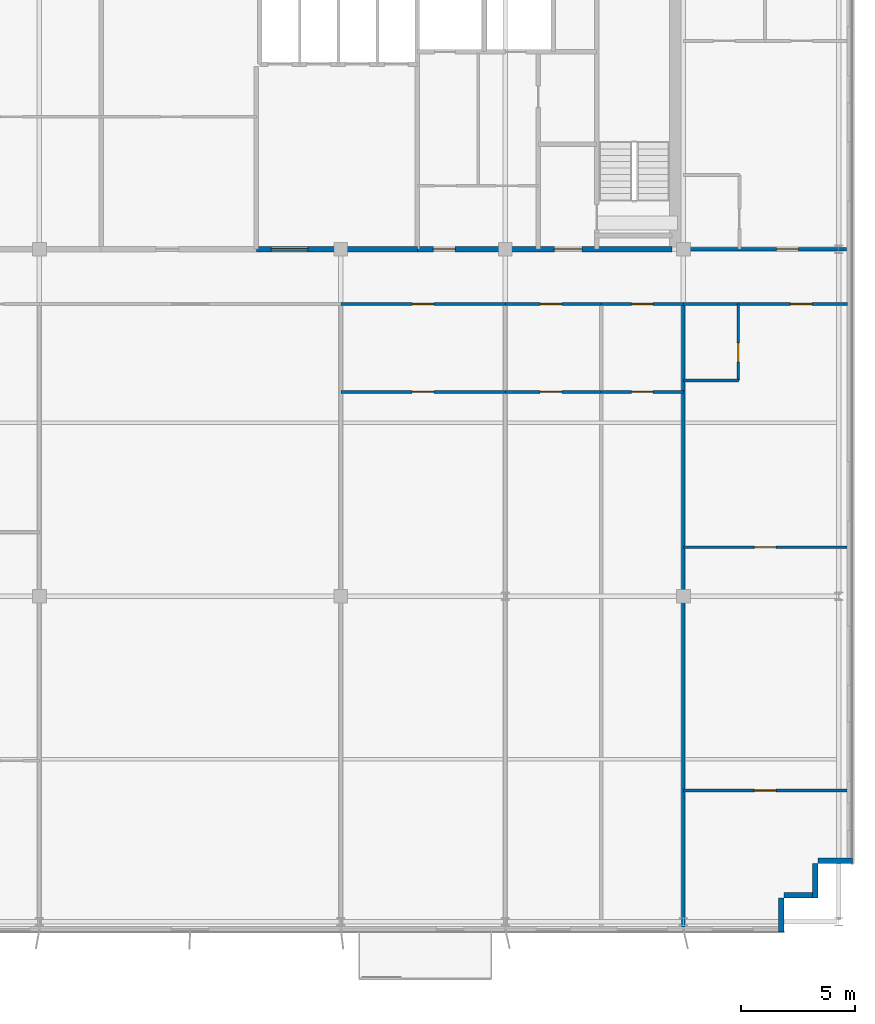
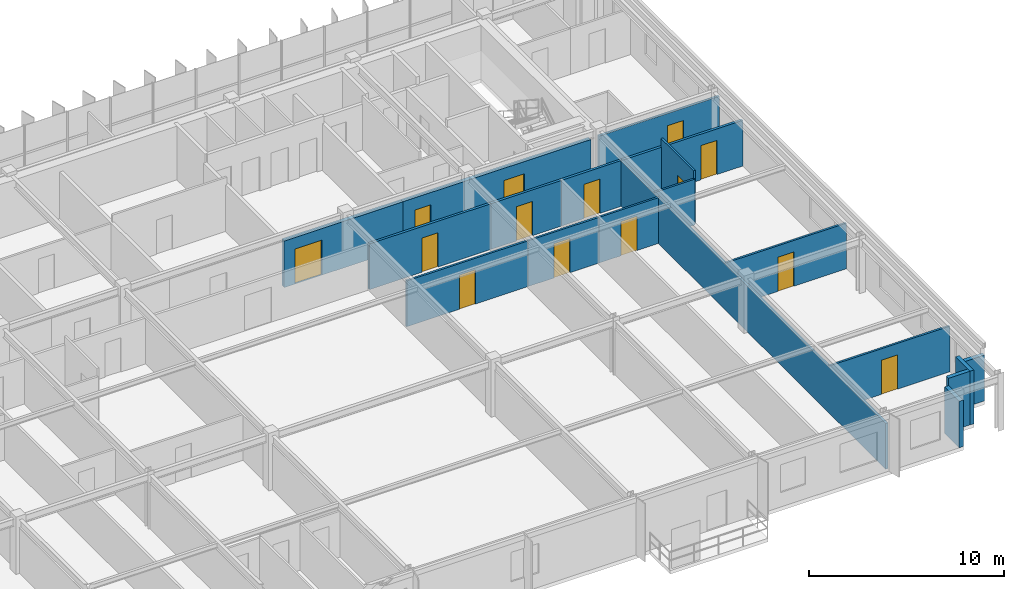
# One storey, part 18 of 22: 19 walls, 14 doors, 14 openings.
"""IFC4 building model written with IfcOpenShell, lengths in metres."""

from ifc_helpers import new_model, si_unit, direction, frame, frame_2d, origin, place, context, subcontext, project, spatial, rectangle, extrude, source, transform, mapped, material, layer, layer_set, type_object, element, fill, save


model = new_model("IFC4")

# Units and contexts
model_context = context("Model", 3, precision=1e-05, world=origin(), true_north=direction((0.0, 1.0)))
body_context = subcontext(model_context, "Body", "Model", "MODEL_VIEW")
ifc_project = project(units=[si_unit("LENGTHUNIT", "METRE"), si_unit("AREAUNIT", "SQUARE_METRE"), si_unit("VOLUMEUNIT", "CUBIC_METRE"), si_unit("PLANEANGLEUNIT", "RADIAN"), si_unit("MASSUNIT", "GRAM", prefix="KILO")], contexts=[model_context])

# Site, building, storey
site_placement = place(None, origin())
site = spatial("IfcSite", under=ifc_project, at=site_placement, CompositionType="ELEMENT")
building_placement = place(site_placement, origin())
building = spatial("IfcBuilding", under=site, at=building_placement, Name="Trelvane Seafront Commons", CompositionType="ELEMENT")
storey_placement = place(building_placement, frame((0.0, 0.0, 270.300048828125)))
storey = spatial("IfcBuildingStorey", under=building, at=storey_placement, Name="L70", CompositionType="ELEMENT", Elevation=270.300048828125)

# Walls
ifc_material_1 = material(Name="Precast concrete C40/50", Category="concrete")
ifc_layer_1 = layer(ifc_material_1, 0.239990234375, Name="ARCH-WALL-EXT240")
ifc_layer_set_1 = layer_set([ifc_layer_1], Name="Precast concrete C40/50")
wall_type_1 = type_object("IfcWallType", Name="ARCH-WALL-EXT240", PredefinedType="SOLIDWALL", material=ifc_layer_set_1)
wall_1_placement = place(storey_placement, frame((66.199951171875, 6.6201171875, 0.0), z_axis=(0.0, 0.0, 1.0), x_axis=(-1.0, 0.0, 0.0)))
element("IfcWall", 1, at=wall_1_placement, inside=storey, type_object=wall_type_1, Name="EW-L70-01418", PredefinedType="SOLIDWALL", context=body_context, shape_type="SweptSolid", body=[
    extrude(rectangle(XDim=1.5, YDim=0.239990234375, at=frame_2d((0.75, 0.0))), origin(), (0.0, 0.0, 1.0), 2.869873046875),
])
for number, where, z_axis, x_axis, name in (
    (2, (64.580078125, 6.5, 0.0), (0.0, 0.0, 1.0), (0.0, -1.0, 0.0), "EW-L70-01419"),
    (3, (64.699951171875, 5.1201171875, 0.0), (0.0, 0.0, 1.0), (-1.0, 0.0, 0.0), "EW-L70-01420"),
):
    element("IfcWall", number, at=place(storey_placement, frame(where, z_axis=z_axis, x_axis=x_axis)), inside=storey, type_object=wall_type_1, Name=name, PredefinedType="SOLIDWALL", context=body_context, shape_type="SweptSolid", body=[
        extrude(rectangle(XDim=1.5, YDim=0.239990234375, at=frame_2d((0.75, 0.0))), origin(), (0.0, 0.0, 1.0), 3.369873046875),
    ])
wall_2_placement = place(storey_placement, frame((63.080078125, 5.0, 0.0), z_axis=(0.0, 0.0, 1.0), x_axis=(0.0, -1.0, 0.0)))
element("IfcWall", 4, at=wall_2_placement, inside=storey, type_object=wall_type_1, Name="EW-L70-01421", PredefinedType="SOLIDWALL", context=body_context, shape_type="SweptSolid", body=[
    extrude(rectangle(XDim=1.5, YDim=0.239990234375, at=frame_2d((0.75, 0.0))), origin(), (0.0, 0.0, 1.0), 2.919921875),
])

# Wall, opening, door
ifc_material_2 = material(Name="Concrete C40/50", Category="concrete")
ifc_layer_2 = layer(ifc_material_2, 0.25, Name="ARCH-WALL-FIRE250")
ifc_layer_set_2 = layer_set([ifc_layer_2], Name="Concrete C40/50")
wall_type_2 = type_object("IfcWallType", Name="ARCH-WALL-FIRE250", PredefinedType="PARTITIONING", material=ifc_layer_set_2)
wall_3_placement = place(storey_placement, frame((40.10009765625, 33.39990234375, 0.0), z_axis=(0.0, 0.0, 1.0), x_axis=(1.0, 0.0, 0.0)))
wall_3 = element("IfcWall", 5, at=wall_3_placement, inside=storey, type_object=wall_type_2, Name="W-L70-CS-PAX-026", PredefinedType="PARTITIONING", context=body_context, shape_type="SweptSolid", body=[
    extrude(rectangle(XDim=7.0498046875, YDim=0.25, at=frame_2d((3.52490234375, 0.0))), origin(), (0.0, 0.0, 1.0), 2.919921875),
])
opening_1_placement = place(wall_3_placement, frame((0.64990234375, 0.0, 0.0)))
opening_1 = element("IfcOpeningElement", 6, at=opening_1_placement, cuts=wall_3, Name="Opening FD-L70-14", PredefinedType="OPENING", context=body_context, shape_type="SweptSolid", body=[
    extrude(rectangle(XDim=1.60009765625, YDim=2.199951171875, at=frame_2d((0.800048828125, 1.10009765625))), frame((0.0, 0.135009765625, 0.0), z_axis=(0.0, -1.0, 0.0), x_axis=(1.0, 0.0, 0.0)), (0.0, 0.0, 1.0), 0.27001953125),
])
ifc_material_3 = material(Name="Powder-coated aluminium frame", Category="aluminium")
door_type_1 = type_object("IfcDoorType", Name="ARCH-DR-FD60-1600", OperationType="DOUBLE_DOOR_SINGLE_SWING", PredefinedType="DOOR", material=ifc_material_3)
shared_shape_1 = source(origin(), body_context, "Body", "SweptSolid", [
    extrude(rectangle(XDim=1.60009765625, YDim=2.199951171875, at=frame_2d((0.800048828125, 1.10009765625))), frame((0.0, 0.02490234375, 0.0), z_axis=(0.0, -1.0, 0.0), x_axis=(1.0, 0.0, 0.0)), (0.0, 0.0, 1.0), 0.050048828125),
])
door_1_placement = place(opening_1_placement, origin())
door_1 = element("IfcDoor", 7, at=door_1_placement, inside=storey, type_object=door_type_1, Name="L70 High-Rise Lift Lobby Double Door", OperationType="DOUBLE_DOOR_SINGLE_SWING", OverallHeight=2.199951171875, OverallWidth=1.60009765625, PredefinedType="DOOR", context=body_context, shape_type="MappedRepresentation", body=[
    mapped(shared_shape_1, transform((0.0, 0.0, 0.0), x_axis=(1.0, 0.0, 0.0), y_axis=(0.0, 1.0, 0.0), z_axis=(0.0, 0.0, 1.0), scale=1.0)),
])
fill(opening_1, door_1)

# Wall, openings, doors
wall_4_placement = place(storey_placement, frame((47.14990234375, 33.39990234375, 0.0), z_axis=(0.0, 0.0, 1.0), x_axis=(1.0, 0.0, 0.0)))
wall_4 = element("IfcWall", 8, at=wall_4_placement, inside=storey, type_object=wall_type_2, Name="W-L70-CS-EAST-034", PredefinedType="PARTITIONING", context=body_context, shape_type="SweptSolid", body=[
    extrude(rectangle(XDim=11.150146484375, YDim=0.25, at=frame_2d((5.5751953125, 0.0))), origin(), (0.0, 0.0, 1.0), 2.919921875),
])
opening_2_placement = place(wall_4_placement, frame((0.699951171875, 0.0, 0.0)))
opening_2 = element("IfcOpeningElement", 9, at=opening_2_placement, cuts=wall_4, Name="Opening FD-L70-20", PredefinedType="OPENING", context=body_context, shape_type="SweptSolid", body=[
    extrude(rectangle(XDim=0.949951171875, YDim=2.14990234375, at=frame_2d((0.47509765625, 1.074951171875))), frame((0.0, 0.135009765625, 0.0), z_axis=(0.0, -1.0, 0.0), x_axis=(1.0, 0.0, 0.0)), (0.0, 0.0, 1.0), 0.27001953125),
])
opening_3_placement = place(wall_4_placement, frame((6.0, 0.0, 0.0)))
opening_3 = element("IfcOpeningElement", 10, at=opening_3_placement, cuts=wall_4, Name="Opening FD-L70-21", PredefinedType="OPENING", context=body_context, shape_type="SweptSolid", body=[
    extrude(rectangle(XDim=1.199951171875, YDim=2.14990234375, at=frame_2d((0.60009765625, 1.074951171875))), frame((0.0, 0.135009765625, 0.0), z_axis=(0.0, -1.0, 0.0), x_axis=(1.0, 0.0, 0.0)), (0.0, 0.0, 1.0), 0.27001953125),
])
door_type_2 = type_object("IfcDoorType", Name="ARCH-DR-FD60-950", OperationType="NOTDEFINED", PredefinedType="DOOR", material=ifc_material_3)
shared_shape_2 = source(origin(), body_context, "Body", "SweptSolid", [
    extrude(rectangle(XDim=0.949951171875, YDim=2.14990234375, at=frame_2d((0.47509765625, 1.074951171875))), frame((0.0, 0.02490234375, 0.0), z_axis=(0.0, -1.0, 0.0), x_axis=(1.0, 0.0, 0.0)), (0.0, 0.0, 1.0), 0.050048828125),
])
door_2_placement = place(opening_2_placement, origin())
door_2 = element("IfcDoor", 11, at=door_2_placement, inside=storey, type_object=door_type_2, Name="L70 Core Service Lobby Door", OperationType="SINGLE_SWING_RIGHT", OverallHeight=2.14990234375, OverallWidth=0.949951171875, PredefinedType="DOOR", context=body_context, shape_type="MappedRepresentation", body=[
    mapped(shared_shape_2, transform((0.0, 0.0, 0.0), x_axis=(1.0, 0.0, 0.0), y_axis=(0.0, 1.0, 0.0), z_axis=(0.0, 0.0, 1.0), scale=1.0)),
])
fill(opening_2, door_2)
door_type_3 = type_object("IfcDoorType", Name="ARCH-DR-FD60-1200", OperationType="NOTDEFINED", PredefinedType="DOOR", material=ifc_material_3)
shared_shape_3 = source(origin(), body_context, "Body", "SweptSolid", [
    extrude(rectangle(XDim=1.199951171875, YDim=2.14990234375, at=frame_2d((0.60009765625, 1.074951171875))), frame((0.0, 0.02490234375, 0.0), z_axis=(0.0, -1.0, 0.0), x_axis=(1.0, 0.0, 0.0)), (0.0, 0.0, 1.0), 0.050048828125),
])
door_3_placement = place(opening_3_placement, origin())
door_3 = element("IfcDoor", 12, at=door_3_placement, inside=storey, type_object=door_type_3, Name="L70 East Stair Vestibule Fire Door", OperationType="SINGLE_SWING_LEFT", OverallHeight=2.14990234375, OverallWidth=1.199951171875, PredefinedType="DOOR", context=body_context, shape_type="MappedRepresentation", body=[
    mapped(shared_shape_3, transform((0.0, 0.0, 0.0), x_axis=(1.0, 0.0, 0.0), y_axis=(0.0, 1.0, 0.0), z_axis=(0.0, 0.0, 1.0), scale=1.0)),
])
fill(opening_3, door_3)

# Wall, opening, door
ifc_material_4 = material(Name="Gypsum Drywall Acoustic Partition")
ifc_layer_3 = layer(ifc_material_4, 0.1201171875, Name="ARCH-WALL-PART120")
ifc_layer_set_3 = layer_set([ifc_layer_3], Name="Gypsum Drywall Acoustic Partition")
wall_type_3 = type_object("IfcWallType", Name="ARCH-WALL-PART120", PredefinedType="PARTITIONING", material=ifc_layer_set_3)
wall_5_placement = place(storey_placement, frame((43.800048828125, 27.14990234375, 0.0), z_axis=(0.0, 0.0, 1.0), x_axis=(1.0, 0.0, 0.0)))
wall_5 = element("IfcWall", 13, at=wall_5_placement, inside=storey, type_object=wall_type_3, Name="W-L70-U6-DIV-073", PredefinedType="PARTITIONING", context=body_context, shape_type="SweptSolid", body=[
    extrude(rectangle(XDim=7.199951171875, YDim=0.1201171875, at=frame_2d((3.60009765625, 0.0))), origin(), (0.0, 0.0, 1.0), 2.869873046875),
])
opening_4_placement = place(wall_5_placement, frame((3.125, 0.0, 0.0)))
opening_4 = element("IfcOpeningElement", 14, at=opening_4_placement, cuts=wall_5, Name="Opening D-L70-46", PredefinedType="OPENING", context=body_context, shape_type="SweptSolid", body=[
    extrude(rectangle(XDim=0.949951171875, YDim=2.14990234375, at=frame_2d((0.47509765625, 1.074951171875))), frame((0.0, 0.070068359375, 0.0), z_axis=(0.0, -1.0, 0.0), x_axis=(1.0, 0.0, 0.0)), (0.0, 0.0, 1.0), 0.14013671875),
])
ifc_material_5 = material(Name="Acoustic timber door leaf", Category="wood")
door_type_4 = type_object("IfcDoorType", Name="ARCH-DR-INT950", OperationType="NOTDEFINED", PredefinedType="DOOR", material=ifc_material_5)
door_4_placement = place(opening_4_placement, origin())
door_4 = element("IfcDoor", 15, at=door_4_placement, inside=storey, type_object=door_type_4, Name="L70 Door 46", OperationType="SINGLE_SWING_RIGHT", OverallHeight=2.14990234375, OverallWidth=0.949951171875, PredefinedType="DOOR", context=body_context, shape_type="MappedRepresentation", body=[
    mapped(shared_shape_2, transform((0.0, 0.0, 0.0), x_axis=(1.0, 0.0, 0.0), y_axis=(0.0, 1.0, 0.0), z_axis=(0.0, 0.0, 1.0), scale=1.0)),
])
fill(opening_4, door_4)

wall_6_placement = place(storey_placement, frame((51.0, 27.14990234375, 0.0), z_axis=(0.0, 0.0, 1.0), x_axis=(1.0, 0.0, 0.0)))
wall_6 = element("IfcWall", 16, at=wall_6_placement, inside=storey, type_object=wall_type_3, Name="W-L70-U7-DIV-075", PredefinedType="PARTITIONING", context=body_context, shape_type="SweptSolid", body=[
    extrude(rectangle(XDim=4.199951171875, YDim=0.1201171875, at=frame_2d((2.10009765625, 0.0))), origin(), (0.0, 0.0, 1.0), 2.869873046875),
])
opening_5_placement = place(wall_6_placement, frame((1.529052734375, 0.0, 0.0)))
opening_5 = element("IfcOpeningElement", 17, at=opening_5_placement, cuts=wall_6, Name="Opening D-L70-48", PredefinedType="OPENING", context=body_context, shape_type="SweptSolid", body=[
    extrude(rectangle(XDim=0.949951171875, YDim=2.14990234375, at=frame_2d((0.47509765625, 1.074951171875))), frame((0.0, 0.070068359375, 0.0), z_axis=(0.0, -1.0, 0.0), x_axis=(1.0, 0.0, 0.0)), (0.0, 0.0, 1.0), 0.14013671875),
])
door_5_placement = place(opening_5_placement, origin())
door_5 = element("IfcDoor", 18, at=door_5_placement, inside=storey, type_object=door_type_4, Name="L70 Door 48", OperationType="SINGLE_SWING_RIGHT", OverallHeight=2.14990234375, OverallWidth=0.949951171875, PredefinedType="DOOR", context=body_context, shape_type="MappedRepresentation", body=[
    mapped(shared_shape_2, transform((0.0, 0.0, 0.0), x_axis=(1.0, 0.0, 0.0), y_axis=(0.0, 1.0, 0.0), z_axis=(0.0, 0.0, 1.0), scale=1.0)),
])
fill(opening_5, door_5)

wall_7_placement = place(storey_placement, frame((55.199951171875, 27.14990234375, 0.0), z_axis=(0.0, 0.0, 1.0), x_axis=(1.0, 0.0, 0.0)))
wall_7 = element("IfcWall", 19, at=wall_7_placement, inside=storey, type_object=wall_type_3, Name="W-L70-U8-DIV-077", PredefinedType="PARTITIONING", context=body_context, shape_type="SweptSolid", body=[
    extrude(rectangle(XDim=3.60009765625, YDim=0.1201171875, at=frame_2d((1.800048828125, 0.0))), origin(), (0.0, 0.0, 1.0), 2.869873046875),
])
opening_6_placement = place(wall_7_placement, frame((1.324951171875, 0.0, 0.0)))
opening_6 = element("IfcOpeningElement", 20, at=opening_6_placement, cuts=wall_7, Name="Opening D-L70-50", PredefinedType="OPENING", context=body_context, shape_type="SweptSolid", body=[
    extrude(rectangle(XDim=0.949951171875, YDim=2.14990234375, at=frame_2d((0.47509765625, 1.074951171875))), frame((0.0, 0.070068359375, 0.0), z_axis=(0.0, -1.0, 0.0), x_axis=(1.0, 0.0, 0.0)), (0.0, 0.0, 1.0), 0.14013671875),
])
door_6_placement = place(opening_6_placement, origin())
door_6 = element("IfcDoor", 21, at=door_6_placement, inside=storey, type_object=door_type_4, Name="L70 Door 50", OperationType="SINGLE_SWING_RIGHT", OverallHeight=2.14990234375, OverallWidth=0.949951171875, PredefinedType="DOOR", context=body_context, shape_type="MappedRepresentation", body=[
    mapped(shared_shape_2, transform((0.0, 0.0, 0.0), x_axis=(1.0, 0.0, 0.0), y_axis=(0.0, 1.0, 0.0), z_axis=(0.0, 0.0, 1.0), scale=1.0)),
])
fill(opening_6, door_6)

wall_8_placement = place(storey_placement, frame((58.800048828125, 20.35009765625, 0.0), z_axis=(0.0, 0.0, 1.0), x_axis=(1.0, 0.0, 0.0)))
wall_8 = element("IfcWall", 22, at=wall_8_placement, inside=storey, type_object=wall_type_3, Name="W-L70-U9-KL-078", PredefinedType="PARTITIONING", context=body_context, shape_type="SweptSolid", body=[
    extrude(rectangle(XDim=7.159912109375, YDim=0.1201171875, at=frame_2d((3.580078125, 0.0))), origin(), (0.0, 0.0, 1.0), 2.869873046875),
])
opening_7_placement = place(wall_8_placement, frame((3.10498046875, 0.0, 0.0)))
opening_7 = element("IfcOpeningElement", 23, at=opening_7_placement, cuts=wall_8, Name="Opening D-L70-51", PredefinedType="OPENING", context=body_context, shape_type="SweptSolid", body=[
    extrude(rectangle(XDim=0.949951171875, YDim=2.14990234375, at=frame_2d((0.47509765625, 1.074951171875))), frame((0.0, 0.070068359375, 0.0), z_axis=(0.0, -1.0, 0.0), x_axis=(1.0, 0.0, 0.0)), (0.0, 0.0, 1.0), 0.14013671875),
])
door_7_placement = place(opening_7_placement, origin())
door_7 = element("IfcDoor", 24, at=door_7_placement, inside=storey, type_object=door_type_4, Name="L70 Door 51", OperationType="SINGLE_SWING_LEFT", OverallHeight=2.14990234375, OverallWidth=0.949951171875, PredefinedType="DOOR", context=body_context, shape_type="MappedRepresentation", body=[
    mapped(shared_shape_2, transform((0.0, 0.0, 0.0), x_axis=(1.0, 0.0, 0.0), y_axis=(0.0, 1.0, 0.0), z_axis=(0.0, 0.0, 1.0), scale=1.0)),
])
fill(opening_7, door_7)

wall_9_placement = place(storey_placement, frame((61.199951171875, 27.64990234375, 0.0), z_axis=(0.0, 0.0, 1.0), x_axis=(0.0, 1.0, 0.0)))
wall_9 = element("IfcWall", 25, at=wall_9_placement, inside=storey, type_object=wall_type_3, Name="W-L70-U9-BE-079", PredefinedType="PARTITIONING", context=body_context, shape_type="SweptSolid", body=[
    extrude(rectangle(XDim=3.35009765625, YDim=0.1201171875, at=frame_2d((1.675048828125, 0.0))), origin(), (0.0, 0.0, 1.0), 3.369873046875),
])
opening_8_placement = place(wall_9_placement, frame((0.800048828125, 0.0, 0.0)))
opening_8 = element("IfcOpeningElement", 26, at=opening_8_placement, cuts=wall_9, Name="Opening D-L70-52", PredefinedType="OPENING", context=body_context, shape_type="SweptSolid", body=[
    extrude(rectangle(XDim=0.85009765625, YDim=2.10009765625, at=frame_2d((0.425048828125, 1.050048828125))), frame((0.0, 0.070068359375, 0.0), z_axis=(0.0, -1.0, 0.0), x_axis=(1.0, 0.0, 0.0)), (0.0, 0.0, 1.0), 0.14013671875),
])
door_type_5 = type_object("IfcDoorType", Name="ARCH-DR-INT850", OperationType="NOTDEFINED", PredefinedType="DOOR", material=ifc_material_5)
shared_shape_4 = source(origin(), body_context, "Body", "SweptSolid", [
    extrude(rectangle(XDim=0.85009765625, YDim=2.10009765625, at=frame_2d((0.425048828125, 1.050048828125))), frame((0.0, 0.02490234375, 0.0), z_axis=(0.0, -1.0, 0.0), x_axis=(1.0, 0.0, 0.0)), (0.0, 0.0, 1.0), 0.050048828125),
])
door_8_placement = place(opening_8_placement, origin())
door_8 = element("IfcDoor", 27, at=door_8_placement, inside=storey, type_object=door_type_5, Name="L70 Door 52", OperationType="SINGLE_SWING_RIGHT", OverallHeight=2.10009765625, OverallWidth=0.85009765625, PredefinedType="DOOR", context=body_context, shape_type="MappedRepresentation", body=[
    mapped(shared_shape_4, transform((0.0, 0.0, 0.0), x_axis=(1.0, 0.0, 0.0), y_axis=(0.0, 1.0, 0.0), z_axis=(0.0, 0.0, 1.0), scale=1.0)),
])
fill(opening_8, door_8)

# Wall
wall_10_placement = place(storey_placement, frame((58.800048828125, 27.64990234375, 0.0), z_axis=(0.0, 0.0, 1.0), x_axis=(1.0, 0.0, 0.0)))
element("IfcWall", 28, at=wall_10_placement, inside=storey, type_object=wall_type_3, Name="W-L70-U9-BS-080", PredefinedType="PARTITIONING", context=body_context, shape_type="SweptSolid", body=[
    extrude(rectangle(XDim=2.39990234375, YDim=0.1201171875, at=frame_2d((1.199951171875, 0.0))), origin(), (0.0, 0.0, 1.0), 2.869873046875),
])

# Wall, opening, door
wall_11_placement = place(storey_placement, frame((58.800048828125, 9.699951171875, 0.0), z_axis=(0.0, 0.0, 1.0), x_axis=(1.0, 0.0, 0.0)))
wall_11 = element("IfcWall", 29, at=wall_11_placement, inside=storey, type_object=wall_type_3, Name="W-L70-U9-YM-1-082", PredefinedType="PARTITIONING", context=body_context, shape_type="SweptSolid", body=[
    extrude(rectangle(XDim=7.159912109375, YDim=0.1201171875, at=frame_2d((3.580078125, 0.0))), origin(), (0.0, 0.0, 1.0), 2.869873046875),
])
opening_9_placement = place(wall_11_placement, frame((3.10498046875, 0.0, 0.0)))
opening_9 = element("IfcOpeningElement", 30, at=opening_9_placement, cuts=wall_11, Name="Opening D-L70-54", PredefinedType="OPENING", context=body_context, shape_type="SweptSolid", body=[
    extrude(rectangle(XDim=0.949951171875, YDim=2.14990234375, at=frame_2d((0.47509765625, 1.074951171875))), frame((0.0, 0.070068359375, 0.0), z_axis=(0.0, -1.0, 0.0), x_axis=(1.0, 0.0, 0.0)), (0.0, 0.0, 1.0), 0.14013671875),
])
door_9_placement = place(opening_9_placement, origin())
door_9 = element("IfcDoor", 31, at=door_9_placement, inside=storey, type_object=door_type_4, Name="L70 Door 54", OperationType="SINGLE_SWING_RIGHT", OverallHeight=2.14990234375, OverallWidth=0.949951171875, PredefinedType="DOOR", context=body_context, shape_type="MappedRepresentation", body=[
    mapped(shared_shape_2, transform((0.0, 0.0, 0.0), x_axis=(1.0, 0.0, 0.0), y_axis=(0.0, 1.0, 0.0), z_axis=(0.0, 0.0, 1.0), scale=1.0)),
])
fill(opening_9, door_9)

ifc_layer_4 = layer(ifc_material_4, 0.14990234375, Name="ARCH-WALL-PART150")
ifc_layer_set_4 = layer_set([ifc_layer_4], Name="Gypsum Drywall Acoustic Partition")
wall_type_4 = type_object("IfcWallType", Name="ARCH-WALL-PART150", PredefinedType="PARTITIONING", material=ifc_layer_set_4)
wall_12_placement = place(storey_placement, frame((58.800048828125, 33.39990234375, 0.0), z_axis=(0.0, 0.0, 1.0), x_axis=(1.0, 0.0, 0.0)))
wall_12 = element("IfcWall", 32, at=wall_12_placement, inside=storey, type_object=wall_type_4, Name="W-L70-NE-ENT-041", PredefinedType="PARTITIONING", context=body_context, shape_type="SweptSolid", body=[
    extrude(rectangle(XDim=7.14990234375, YDim=0.14990234375, at=frame_2d((3.574951171875, 0.0))), origin(), (0.0, 0.0, 1.0), 2.919921875),
])
opening_10_placement = place(wall_12_placement, frame((4.080078125, 0.0, 0.0)))
opening_10 = element("IfcOpeningElement", 33, at=opening_10_placement, cuts=wall_12, Name="Opening FD-L70-26", PredefinedType="OPENING", context=body_context, shape_type="SweptSolid", body=[
    extrude(rectangle(XDim=0.949951171875, YDim=2.14990234375, at=frame_2d((0.47509765625, 1.074951171875))), frame((0.0, 0.0849609375, 0.0), z_axis=(0.0, -1.0, 0.0), x_axis=(1.0, 0.0, 0.0)), (0.0, 0.0, 1.0), 0.169921875),
])
door_10_placement = place(opening_10_placement, origin())
door_10 = element("IfcDoor", 34, at=door_10_placement, inside=storey, type_object=door_type_2, Name="L70 NE Flat Entrance Door", OperationType="SINGLE_SWING_RIGHT", OverallHeight=2.14990234375, OverallWidth=0.949951171875, PredefinedType="DOOR", context=body_context, shape_type="MappedRepresentation", body=[
    mapped(shared_shape_2, transform((0.0, 0.0, 0.0), x_axis=(1.0, 0.0, 0.0), y_axis=(0.0, 1.0, 0.0), z_axis=(0.0, 0.0, 1.0), scale=1.0)),
])
fill(opening_10, door_10)

# Wall
wall_13_placement = place(storey_placement, frame((58.800048828125, 3.72509765625, 0.0), z_axis=(0.0, 0.0, 1.0), x_axis=(0.0, 1.0, 0.0)))
element("IfcWall", 35, at=wall_13_placement, inside=storey, type_object=wall_type_4, Name="W-L70-PW-8-052", PredefinedType="PARTITIONING", context=body_context, shape_type="SweptSolid", body=[
    extrude(rectangle(XDim=27.27490234375, YDim=0.14990234375, at=frame_2d((13.637451171875, 0.0))), origin(), (0.0, 0.0, 1.0), 2.869873046875),
])

# Wall, opening, door
wall_14_placement = place(storey_placement, frame((43.800048828125, 31.0, 0.0), z_axis=(0.0, 0.0, 1.0), x_axis=(1.0, 0.0, 0.0)))
wall_14 = element("IfcWall", 36, at=wall_14_placement, inside=storey, type_object=wall_type_4, Name="W-L70-CS-BAY-6-072", PredefinedType="PARTITIONING", context=body_context, shape_type="SweptSolid", body=[
    extrude(rectangle(XDim=7.199951171875, YDim=0.14990234375, at=frame_2d((3.60009765625, 0.0))), origin(), (0.0, 0.0, 1.0), 2.869873046875),
])
opening_11_placement = place(wall_14_placement, frame((3.125, 0.0, 0.0)))
opening_11 = element("IfcOpeningElement", 37, at=opening_11_placement, cuts=wall_14, Name="Opening FD-L70-45", PredefinedType="OPENING", context=body_context, shape_type="SweptSolid", body=[
    extrude(rectangle(XDim=0.949951171875, YDim=2.14990234375, at=frame_2d((0.47509765625, 1.074951171875))), frame((0.0, 0.0849609375, 0.0), z_axis=(0.0, -1.0, 0.0), x_axis=(1.0, 0.0, 0.0)), (0.0, 0.0, 1.0), 0.169921875),
])
door_11_placement = place(opening_11_placement, origin())
door_11 = element("IfcDoor", 38, at=door_11_placement, inside=storey, type_object=door_type_2, Name="L70 Bay 06 Entrance Door", OperationType="SINGLE_SWING_LEFT", OverallHeight=2.14990234375, OverallWidth=0.949951171875, PredefinedType="DOOR", context=body_context, shape_type="MappedRepresentation", body=[
    mapped(shared_shape_2, transform((0.0, 0.0, 0.0), x_axis=(1.0, 0.0, 0.0), y_axis=(0.0, 1.0, 0.0), z_axis=(0.0, 0.0, 1.0), scale=1.0)),
])
fill(opening_11, door_11)

wall_15_placement = place(storey_placement, frame((51.0, 31.0, 0.0), z_axis=(0.0, 0.0, 1.0), x_axis=(1.0, 0.0, 0.0)))
wall_15 = element("IfcWall", 39, at=wall_15_placement, inside=storey, type_object=wall_type_4, Name="W-L70-CS-BAY-7-074", PredefinedType="PARTITIONING", context=body_context, shape_type="SweptSolid", body=[
    extrude(rectangle(XDim=4.199951171875, YDim=0.14990234375, at=frame_2d((2.10009765625, 0.0))), origin(), (0.0, 0.0, 1.0), 2.869873046875),
])
opening_12_placement = place(wall_15_placement, frame((1.529052734375, 0.0, 0.0)))
opening_12 = element("IfcOpeningElement", 40, at=opening_12_placement, cuts=wall_15, Name="Opening FD-L70-47", PredefinedType="OPENING", context=body_context, shape_type="SweptSolid", body=[
    extrude(rectangle(XDim=0.949951171875, YDim=2.14990234375, at=frame_2d((0.47509765625, 1.074951171875))), frame((0.0, 0.0849609375, 0.0), z_axis=(0.0, -1.0, 0.0), x_axis=(1.0, 0.0, 0.0)), (0.0, 0.0, 1.0), 0.169921875),
])
door_12_placement = place(opening_12_placement, origin())
door_12 = element("IfcDoor", 41, at=door_12_placement, inside=storey, type_object=door_type_2, Name="L70 Bay 07 Entrance Door", OperationType="SINGLE_SWING_LEFT", OverallHeight=2.14990234375, OverallWidth=0.949951171875, PredefinedType="DOOR", context=body_context, shape_type="MappedRepresentation", body=[
    mapped(shared_shape_2, transform((0.0, 0.0, 0.0), x_axis=(1.0, 0.0, 0.0), y_axis=(0.0, 1.0, 0.0), z_axis=(0.0, 0.0, 1.0), scale=1.0)),
])
fill(opening_12, door_12)

wall_16_placement = place(storey_placement, frame((55.199951171875, 31.0, 0.0), z_axis=(0.0, 0.0, 1.0), x_axis=(1.0, 0.0, 0.0)))
wall_16 = element("IfcWall", 42, at=wall_16_placement, inside=storey, type_object=wall_type_4, Name="W-L70-CS-BAY-8-076", PredefinedType="PARTITIONING", context=body_context, shape_type="SweptSolid", body=[
    extrude(rectangle(XDim=3.60009765625, YDim=0.14990234375, at=frame_2d((1.800048828125, 0.0))), origin(), (0.0, 0.0, 1.0), 2.869873046875),
])
opening_13_placement = place(wall_16_placement, frame((1.324951171875, 0.0, 0.0)))
opening_13 = element("IfcOpeningElement", 43, at=opening_13_placement, cuts=wall_16, Name="Opening FD-L70-49", PredefinedType="OPENING", context=body_context, shape_type="SweptSolid", body=[
    extrude(rectangle(XDim=0.949951171875, YDim=2.14990234375, at=frame_2d((0.47509765625, 1.074951171875))), frame((0.0, 0.0849609375, 0.0), z_axis=(0.0, -1.0, 0.0), x_axis=(1.0, 0.0, 0.0)), (0.0, 0.0, 1.0), 0.169921875),
])
door_13_placement = place(opening_13_placement, origin())
door_13 = element("IfcDoor", 44, at=door_13_placement, inside=storey, type_object=door_type_2, Name="L70 Bay 08 Entrance Door", OperationType="SINGLE_SWING_LEFT", OverallHeight=2.14990234375, OverallWidth=0.949951171875, PredefinedType="DOOR", context=body_context, shape_type="MappedRepresentation", body=[
    mapped(shared_shape_2, transform((0.0, 0.0, 0.0), x_axis=(1.0, 0.0, 0.0), y_axis=(0.0, 1.0, 0.0), z_axis=(0.0, 0.0, 1.0), scale=1.0)),
])
fill(opening_13, door_13)

wall_17_placement = place(storey_placement, frame((58.800048828125, 31.0, 0.0), z_axis=(0.0, 0.0, 1.0), x_axis=(1.0, 0.0, 0.0)))
wall_17 = element("IfcWall", 45, at=wall_17_placement, inside=storey, type_object=wall_type_4, Name="W-L70-CS-BAY-9-081", PredefinedType="PARTITIONING", context=body_context, shape_type="SweptSolid", body=[
    extrude(rectangle(XDim=7.175048828125, YDim=0.14990234375, at=frame_2d((3.58740234375, 0.0))), origin(), (0.0, 0.0, 1.0), 2.869873046875),
])
opening_14_placement = place(wall_17_placement, frame((4.680908203125, 0.0, 0.0)))
opening_14 = element("IfcOpeningElement", 46, at=opening_14_placement, cuts=wall_17, Name="Opening FD-L70-53", PredefinedType="OPENING", context=body_context, shape_type="SweptSolid", body=[
    extrude(rectangle(XDim=0.949951171875, YDim=2.14990234375, at=frame_2d((0.47509765625, 1.074951171875))), frame((0.0, 0.0849609375, 0.0), z_axis=(0.0, -1.0, 0.0), x_axis=(1.0, 0.0, 0.0)), (0.0, 0.0, 1.0), 0.169921875),
])
door_14_placement = place(opening_14_placement, origin())
door_14 = element("IfcDoor", 47, at=door_14_placement, inside=storey, type_object=door_type_2, Name="L70 Unit 09 Entrance Door", OperationType="SINGLE_SWING_LEFT", OverallHeight=2.14990234375, OverallWidth=0.949951171875, PredefinedType="DOOR", context=body_context, shape_type="MappedRepresentation", body=[
    mapped(shared_shape_2, transform((0.0, 0.0, 0.0), x_axis=(1.0, 0.0, 0.0), y_axis=(0.0, 1.0, 0.0), z_axis=(0.0, 0.0, 1.0), scale=1.0)),
])
fill(opening_14, door_14)

save(model, "model.ifc")
